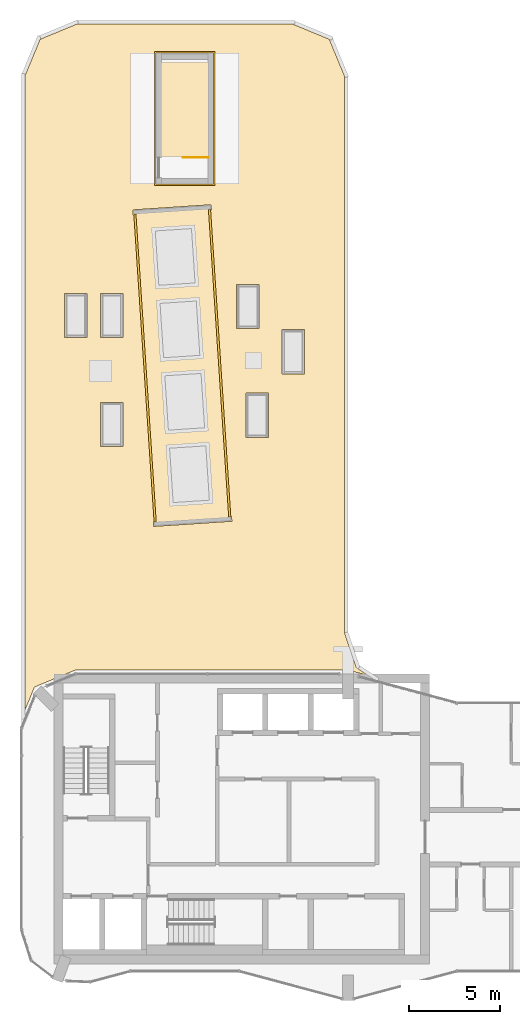
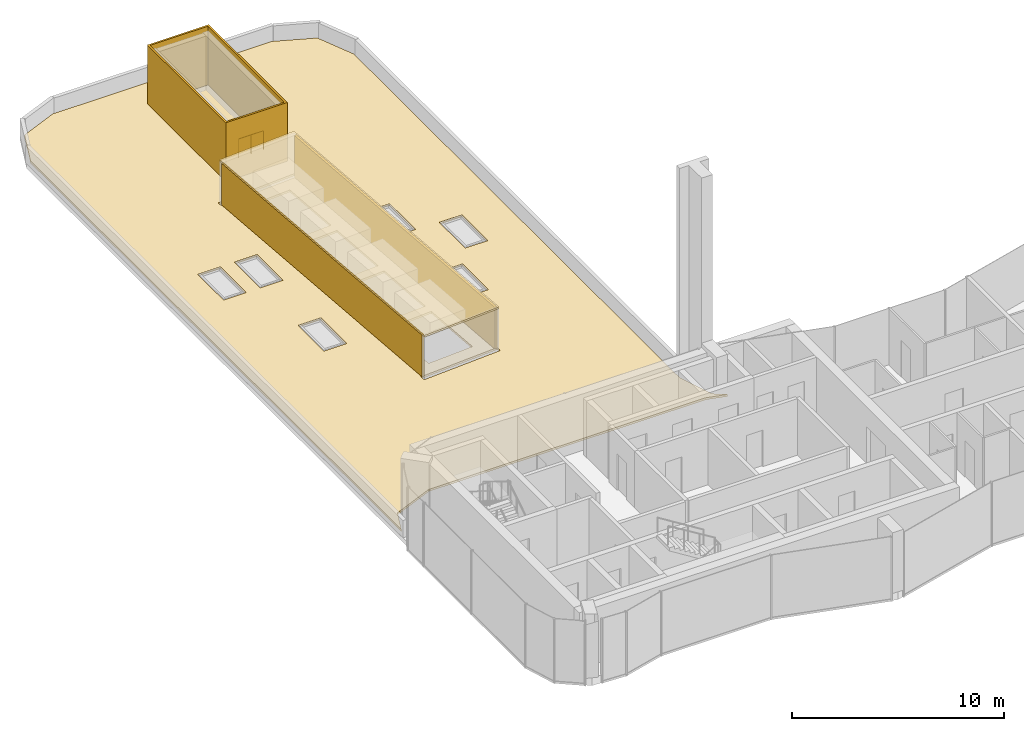
# One storey, part 12 of 13: 3 coverings, 2 shading devices, 1 railing.
"""IFC4 building model written with IfcOpenShell, lengths in metres."""

import ifcopenshell
import ifcopenshell.guid

model = None  # the IFC model being written
_history = None  # IfcOwnerHistory: only IFC2X3 demands one
_inside = {}  # id of a spatial element -> (the spatial element, [elements in it])
_under = {}  # id of a project, library or spatial element -> (it, [spatial elements below it])
_declared = {}  # id of a project -> (the project, [libraries it declares])
_typed = {}  # id of a type object -> (the type object, [elements of that type])
_made_of = {}  # id of a material, layer set ... -> (it, [elements and type objects made of it])


def new_model(schema):
    """Start an empty IFC model of exactly this schema.

    Asked for "IFC4X3", IfcOpenShell would pick the latest addendum, in which some entities
    have other attributes; the version numbers below select the first issue.
    IFC2X3 requires an IfcOwnerHistory on every rooted entity: one is made here for all.
    """
    global model, _history
    if schema == "IFC4X3":
        model = ifcopenshell.file(schema_version=(4, 3, 0, 0))
    else:
        model = ifcopenshell.file(schema=schema)
    _inside.clear()
    _under.clear()
    _declared.clear()
    _typed.clear()
    _made_of.clear()
    _history = None
    if model.schema == "IFC2X3":
        org = make("IfcOrganization", Name="unknown")
        user = make(
            "IfcPersonAndOrganization",
            ThePerson=make("IfcPerson", FamilyName="unknown"),
            TheOrganization=org,
        )
        app = make(
            "IfcApplication",
            ApplicationDeveloper=org,
            Version="unknown",
            ApplicationFullName="unknown",
            ApplicationIdentifier="unknown",
        )
        _history = make(
            "IfcOwnerHistory",
            OwningUser=user,
            OwningApplication=app,
            ChangeAction="ADDED",
            CreationDate=0,
        )
    return model


def make(cls, **values):
    """One entity of the class cls with the attributes given. An attribute that is None is left unset."""
    return model.create_entity(
        cls, **{name: value for name, value in values.items() if value is not None}
    )


def rooted(cls, **values):
    """An entity with a GlobalId (a new one), such as an element, a storey or a relation."""
    return make(cls, GlobalId=ifcopenshell.guid.new(), OwnerHistory=_history, **values)


def si_unit(unit_type, name, prefix=None):
    """IfcSIUnit, for example si_unit("LENGTHUNIT", "METRE", prefix="MILLI")."""
    return make("IfcSIUnit", UnitType=unit_type, Prefix=prefix, Name=name)


def assignment(units):
    """IfcUnitAssignment: the units of a project."""
    return None if units is None else make("IfcUnitAssignment", Units=units)


def point(xyz):
    """IfcCartesianPoint."""
    return None if xyz is None else make("IfcCartesianPoint", Coordinates=xyz)


def direction(xyz):
    """IfcDirection."""
    return None if xyz is None else make("IfcDirection", DirectionRatios=xyz)


def frame(location, z_axis=None, x_axis=None):
    """IfcAxis2Placement3D, a coordinate frame: its origin and axes. An axis left out is left unset."""
    return make(
        "IfcAxis2Placement3D",
        Location=point(location),
        Axis=direction(z_axis),
        RefDirection=direction(x_axis),
    )


def frame_2d(location, x_axis=None):
    """IfcAxis2Placement2D, a coordinate frame in the plane: its origin and x axis."""
    return make(
        "IfcAxis2Placement2D", Location=point(location), RefDirection=direction(x_axis)
    )


def origin():
    """The frame at (0, 0, 0) with its axes left unset."""
    return frame((0.0, 0.0, 0.0))


def origin_2d():
    """The frame at (0, 0) in the plane with its x axis left unset."""
    return frame_2d((0.0, 0.0))


def place(relative_to, where):
    """IfcLocalPlacement: puts the frame where relative to a parent placement (None: the world)."""
    return make(
        "IfcLocalPlacement", PlacementRelTo=relative_to, RelativePlacement=where
    )


def context(
    kind, dimensions, precision=None, world=None, true_north=None, identifier=None
):
    """IfcGeometricRepresentationContext, for example the 3D "Model" context."""
    return make(
        "IfcGeometricRepresentationContext",
        ContextIdentifier=identifier,
        ContextType=kind,
        CoordinateSpaceDimension=dimensions,
        Precision=precision,
        WorldCoordinateSystem=world,
        TrueNorth=true_north,
    )


def subcontext(parent, identifier, kind, view, scale=None):
    """IfcGeometricRepresentationSubContext, for example "Body" below "Model"."""
    return make(
        "IfcGeometricRepresentationSubContext",
        ContextIdentifier=identifier,
        ContextType=kind,
        ParentContext=parent,
        TargetScale=scale,
        TargetView=view,
    )


def project(units=None, contexts=None):
    """IfcProject with its units and contexts."""
    return rooted(
        "IfcProject",
        Name="project",
        RepresentationContexts=contexts,
        UnitsInContext=assignment(units),
    )


def spatial(cls, under=None, at=None, **own):
    """A site, building, storey or space (cls), placed at a placement, below another one or the project."""
    s = rooted(cls, ObjectPlacement=at, **own)
    if under is not None:
        _under.setdefault(under.id(), (under, []))[1].append(s)
    return s


def polyline(points):
    """IfcPolyline through the points."""
    return make("IfcPolyline", Points=[point(p) for p in points])


def profile(cls, at=None, kind="AREA", **sizes):
    """A parametric profile (cls). Its sizes go by their IFC names, for example OverallWidth=200.0."""
    return make(cls, ProfileType=kind, Position=at, **sizes)


def rectangle(**sizes):
    """IfcRectangleProfileDef."""
    return profile("IfcRectangleProfileDef", **sizes)


def circle(**sizes):
    """IfcCircleProfileDef."""
    return profile("IfcCircleProfileDef", **sizes)


def outline(outer, holes=None, kind="AREA"):
    """IfcArbitraryClosedProfileDef: a profile drawn as a closed curve; with holes, ...WithVoids."""
    if holes is None:
        return make("IfcArbitraryClosedProfileDef", ProfileType=kind, OuterCurve=outer)
    return make(
        "IfcArbitraryProfileDefWithVoids",
        ProfileType=kind,
        OuterCurve=outer,
        InnerCurves=holes,
    )


def extrude(swept, where, along, depth):
    """IfcExtrudedAreaSolid: the profile swept, set in the frame where, extruded along a direction by depth."""
    return make(
        "IfcExtrudedAreaSolid",
        SweptArea=swept,
        Position=where,
        ExtrudedDirection=direction(along),
        Depth=depth,
    )


def shape(context_of_items, identifier, shape_type, items):
    """IfcShapeRepresentation: the items that make up one representation, for example the "Body"."""
    return make(
        "IfcShapeRepresentation",
        ContextOfItems=context_of_items,
        RepresentationIdentifier=identifier,
        RepresentationType=shape_type,
        Items=items,
    )


def material(Name=None, Category=None):
    """IfcMaterial."""
    return make("IfcMaterial", Name=Name, Category=Category)


def layer(
    of_material, thickness, ventilated=None, Name=None, Category=None, Priority=None
):
    """IfcMaterialLayer: one layer of a wall or slab, of a material (None: an air gap)."""
    return make(
        "IfcMaterialLayer",
        Material=of_material,
        LayerThickness=thickness,
        IsVentilated=ventilated,
        Name=Name,
        Category=Category,
        Priority=Priority,
    )


def layer_set(layers, Name=None):
    """IfcMaterialLayerSet."""
    return make("IfcMaterialLayerSet", MaterialLayers=layers, LayerSetName=Name)


def made_of(thing, what):
    """Note that an element or type object is made of a material, layer set ...; save() writes the relation."""
    if what is not None:
        _made_of.setdefault(what.id(), (what, []))[1].append(thing)
    return thing


def type_object(cls, material=None, **own):
    """A type object (cls), such as IfcWallType, which elements share."""
    return made_of(rooted(cls, **own), material)


def element(
    cls,
    number,
    at=None,
    inside=None,
    cuts=None,
    type_object=None,
    material=None,
    context=None,
    identifier="Body",
    shape_type=None,
    held_by="IfcProductDefinitionShape",
    body=None,
    shapes=None,
    **own,
):
    """One element of the class cls, such as IfcWall. Its Tag is "e" and its number.

    at: its placement. inside: the storey or other place that contains it. cuts: it is an
    opening in that element (IfcRelVoidsElement). A single representation is given by context,
    identifier, shape_type and body (its items); several are given by shapes. held_by: the class
    of the entity that holds the representations. save() writes the other relations.
    """
    e = rooted(cls, Tag="e%d" % number, ObjectPlacement=at, **own)
    if body is not None:
        shapes = [shape(context, identifier, shape_type, body)]
    if shapes is not None:
        e.Representation = make(held_by, Representations=shapes)
    if inside is not None:
        _inside.setdefault(inside.id(), (inside, []))[1].append(e)
    if cuts is not None:
        rooted(
            "IfcRelVoidsElement", RelatingBuildingElement=cuts, RelatedOpeningElement=e
        )
    if type_object is not None:
        _typed.setdefault(type_object.id(), (type_object, []))[1].append(e)
    return made_of(e, material)


def aggregate(whole, parts):
    """IfcRelAggregates: a whole, such as a stair, and the parts it consists of."""
    return rooted("IfcRelAggregates", RelatingObject=whole, RelatedObjects=parts)


def save(model, path):
    """Write the relations noted so far, then the file.

    IfcRelAggregates (storeys below a building ...), IfcRelContainedInSpatialStructure (elements
    in a storey), IfcRelDefinesByType, IfcRelAssociatesMaterial and IfcRelDeclares: one each for
    every whole, place, type object, material and project.
    """
    for whole, parts in _under.values():
        aggregate(whole, parts)
    for where, things in _inside.values():
        rooted(
            "IfcRelContainedInSpatialStructure",
            RelatedElements=things,
            RelatingStructure=where,
        )
    for kind, things in _typed.values():
        rooted("IfcRelDefinesByType", RelatedObjects=things, RelatingType=kind)
    for what, things in _made_of.values():
        rooted("IfcRelAssociatesMaterial", RelatedObjects=things, RelatingMaterial=what)
    for by, libraries in _declared.values():
        rooted("IfcRelDeclares", RelatingContext=by, RelatedDefinitions=libraries)
    model.write(path)


model = new_model("IFC4")

# Units and contexts
model_context = context("Model", 3, precision=1e-05, world=origin(), true_north=direction((0.0, 1.0)))
body_context = subcontext(model_context, "Body", "Model", "MODEL_VIEW")
ifc_project = project(units=[si_unit("LENGTHUNIT", "METRE"), si_unit("AREAUNIT", "SQUARE_METRE"), si_unit("VOLUMEUNIT", "CUBIC_METRE"), si_unit("PLANEANGLEUNIT", "RADIAN"), si_unit("MASSUNIT", "GRAM", prefix="KILO")], contexts=[model_context])

# Site, building, storey
site_placement = place(None, origin())
site = spatial("IfcSite", under=ifc_project, at=site_placement, CompositionType="ELEMENT")
building_placement = place(site_placement, origin())
building = spatial("IfcBuilding", under=site, at=building_placement, Name="Plateau Cross Towers", CompositionType="ELEMENT")
storey_placement = place(building_placement, frame((0.0, 0.0, 229.39990234375)))
storey = spatial("IfcBuildingStorey", under=building, at=storey_placement, Name="L60", CompositionType="ELEMENT", Elevation=229.39990234375)

# Shading devices
ifc_material_1 = material(Name="Anodised aluminium louvres", Category="aluminium")
ifc_layer_1 = layer(ifc_material_1, 0.1201171875)
ifc_layer_set_1 = layer_set([ifc_layer_1], Name="Anodised aluminium louvres")
shading_device_type = type_object("IfcShadingDeviceType", Name="Louvre screen 2400", PredefinedType="USERDEFINED", material=ifc_layer_set_1)
for number, where, z_axis, x_axis, name in (
    (1, (10.924560546875, 35.121826171875, 0.1201171875), (0.0, 0.0, 1.0), (0.065780475363, -0.99783411901, 0.0), "Louvre screen north"),
    (2, (6.8134765625, 34.850830078125, 0.1201171875), (0.0, 0.0, 1.0), (0.065780475363, -0.99783411901, 0.0), "Louvre screen south"),
):
    element("IfcShadingDevice", number, at=place(storey_placement, frame(where, z_axis=z_axis, x_axis=x_axis)), inside=storey, type_object=shading_device_type, Name=name, ObjectType="SCREEN", PredefinedType="USERDEFINED", context=body_context, shape_type="SweptSolid", body=[
        extrude(rectangle(XDim=17.0, YDim=0.1201171875, at=origin_2d()), origin(), (0.0, 0.0, 1.0), 2.39990234375),
    ])

# Covering
ifc_material_2 = material(Name="Insulated aluminium roof cladding", Category="aluminium")
ifc_layer_2 = layer(ifc_material_2, 0.10009765625)
ifc_layer_set_2 = layer_set([ifc_layer_2], Name="Insulated aluminium roof cladding")
covering_type_1 = type_object("IfcCoveringType", Name="Plant enclosure roof 100", PredefinedType="ROOFING", material=ifc_layer_set_2)
covering_1_placement = place(storey_placement, frame((8.869140625, 34.986328125, 2.52001953125), z_axis=(0.0, 0.0, 1.0), x_axis=(0.065780475363, -0.99783411901, 0.0)))
element("IfcCovering", 3, at=covering_1_placement, inside=storey, type_object=covering_type_1, Name="Plant enclosure roof", PredefinedType="ROOFING", context=body_context, shape_type="SweptSolid", body=[
    extrude(rectangle(XDim=17.39990234375, YDim=4.239990234375, at=origin_2d()), origin(), (0.0, 0.0, 1.0), 0.10009765625),
])

# Railing
ifc_material_3 = material(Name="Stainless steel and toughened glass", Category="steel")
railing_type = type_object("IfcRailingType", Name="RL-GUARD-1100", PredefinedType="GUARDRAIL", material=ifc_material_3)
railing_placement = place(storey_placement, frame((10.27490234375, 46.449951171875, 0.0)))
element("IfcRailing", 4, at=railing_placement, inside=storey, type_object=railing_type, Name="L60 ES-N top well guard 1", PredefinedType="GUARDRAIL", context=body_context, shape_type="SweptSolid", body=[
    extrude(circle(Radius=0.02392578125, at=origin_2d()), frame((0.0, 0.0, 1.076171875), z_axis=(-1.0, 0.0, 0.0), x_axis=(0.0, -1.0, 0.0)), (0.0, 0.0, 1.0), 1.349853515625),
    extrude(circle(Radius=0.02099609375, at=origin_2d()), origin(), (0.0, 0.0, 1.0), 1.052001953125),
    extrude(circle(Radius=0.02099609375, at=origin_2d()), frame((-0.6748046875, 0.0, 0.0)), (0.0, 0.0, 1.0), 1.052001953125),
    extrude(circle(Radius=0.02099609375, at=origin_2d()), frame((-1.349853515625, 0.0, 0.0)), (0.0, 0.0, 1.0), 1.052001953125),
])

# Coverings
ifc_material_4 = material(Name="Bituminous roofing membrane")
ifc_layer_3 = layer(ifc_material_4, 0.1201171875)
ifc_layer_set_3 = layer_set([ifc_layer_3], Name="Bituminous roofing membrane")
covering_type_2 = type_object("IfcCoveringType", Name="Roof membrane build-up 120", PredefinedType="ROOFING", material=ifc_layer_set_3)
covering_2_placement = place(storey_placement, origin())
element("IfcCovering", 5, at=covering_2_placement, inside=storey, type_object=covering_type_2, Name="Roof covering 1", PredefinedType="ROOFING", context=body_context, shape_type="SweptSolid", body=[
    extrude(outline(polyline([(0.202392578125, 16.011474609375), (0.200439453125, 16.01171875), (0.199951171875, 50.960205078125), (1.03173828125, 52.96826171875), (3.039794921875, 53.800048828125), (14.960205078125, 53.800048828125), (16.96826171875, 52.96826171875), (17.800048828125, 50.960205078125), (17.800048828125, 20.269287109375), (18.452392578125, 18.34716796875), (19.067138671875, 17.9365234375), (19.06103515625, 17.9228515625), (18.0263671875, 18.199951171875), (2.960205078125, 18.199951171875), (0.7255859375, 17.2744140625), (0.202392578125, 16.011474609375)]), holes=[polyline([(15.60791015625, 34.52392578125), (15.60791015625, 36.964111328125), (14.367919921875, 36.964111328125), (14.367919921875, 34.52392578125), (15.60791015625, 34.52392578125)]), polyline([(13.60791015625, 31.02392578125), (13.60791015625, 33.464111328125), (12.367919921875, 33.464111328125), (12.367919921875, 31.02392578125), (13.60791015625, 31.02392578125)]), polyline([(13.10791015625, 37.02392578125), (13.10791015625, 39.464111328125), (11.867919921875, 39.464111328125), (11.867919921875, 37.02392578125), (13.10791015625, 37.02392578125)]), polyline([(7.270263671875, 26.402587890625), (7.28857421875, 26.123291015625), (11.599365234375, 26.407470703125), (11.580810546875, 26.686767578125), (7.270263671875, 26.402587890625)]), polyline([(8.140869140625, 27.181640625), (10.615478515625, 27.3447265625), (10.38671875, 30.817138671875), (7.912109375, 30.654052734375), (8.140869140625, 27.181640625)]), polyline([(10.468017578125, 43.570068359375), (10.449462890625, 43.849609375), (6.138916015625, 43.5654296875), (6.1572265625, 43.285888671875), (10.468017578125, 43.570068359375)]), polyline([(10.3525390625, 31.3359375), (10.12353515625, 34.80859375), (7.64892578125, 34.645263671875), (7.877685546875, 31.1728515625), (10.3525390625, 31.3359375)]), polyline([(10.08935546875, 35.327392578125), (9.8603515625, 38.7998046875), (7.3857421875, 38.63671875), (7.61474609375, 35.164306640625), (10.08935546875, 35.327392578125)]), polyline([(7.3515625, 39.155517578125), (9.826171875, 39.318603515625), (9.59716796875, 42.791259765625), (7.12255859375, 42.6279296875), (7.3515625, 39.155517578125)]), polyline([(4.367919921875, 32.964111328125), (4.367919921875, 30.52392578125), (5.60791015625, 30.52392578125), (5.60791015625, 32.964111328125), (4.367919921875, 32.964111328125)]), polyline([(5.60791015625, 38.964111328125), (4.367919921875, 38.964111328125), (4.367919921875, 36.52392578125), (5.60791015625, 36.52392578125), (5.60791015625, 38.964111328125)]), polyline([(3.60791015625, 38.964111328125), (2.367919921875, 38.964111328125), (2.367919921875, 36.52392578125), (3.60791015625, 36.52392578125), (3.60791015625, 38.964111328125)])]), origin(), (0.0, 0.0, 1.0), 0.1201171875),
])
ifc_material_5 = material(Name="Light precast concrete cladding C40/50", Category="concrete")
ifc_layer_4 = layer(ifc_material_5, 0.10009765625)
ifc_layer_set_4 = layer_set([ifc_layer_4], Name="Light precast concrete cladding C40/50")
covering_type_3 = type_object("IfcCoveringType", Name="Stair tower cladding 100", PredefinedType="CLADDING", material=ifc_layer_set_4)
covering_3_placement = place(storey_placement, origin())
element("IfcCovering", 6, at=covering_3_placement, inside=storey, type_object=covering_type_3, Name="Stair tower cladding", PredefinedType="CLADDING", context=body_context, shape_type="SweptSolid", body=[
    extrude(outline(polyline([(7.324951171875, 52.300048828125), (10.675048828125, 52.300048828125), (10.675048828125, 44.89990234375), (7.324951171875, 44.89990234375), (7.324951171875, 52.300048828125)]), holes=[polyline([(10.574951171875, 45.0), (10.574951171875, 52.199951171875), (7.425048828125, 52.199951171875), (7.425048828125, 45.0), (10.574951171875, 45.0)])]), origin(), (0.0, 0.0, 1.0), 3.5),
])

save(model, "model.ifc")
